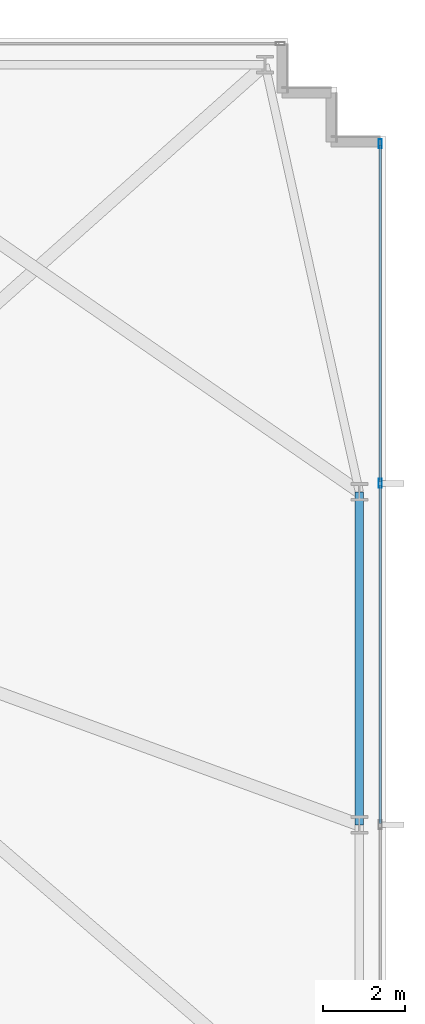
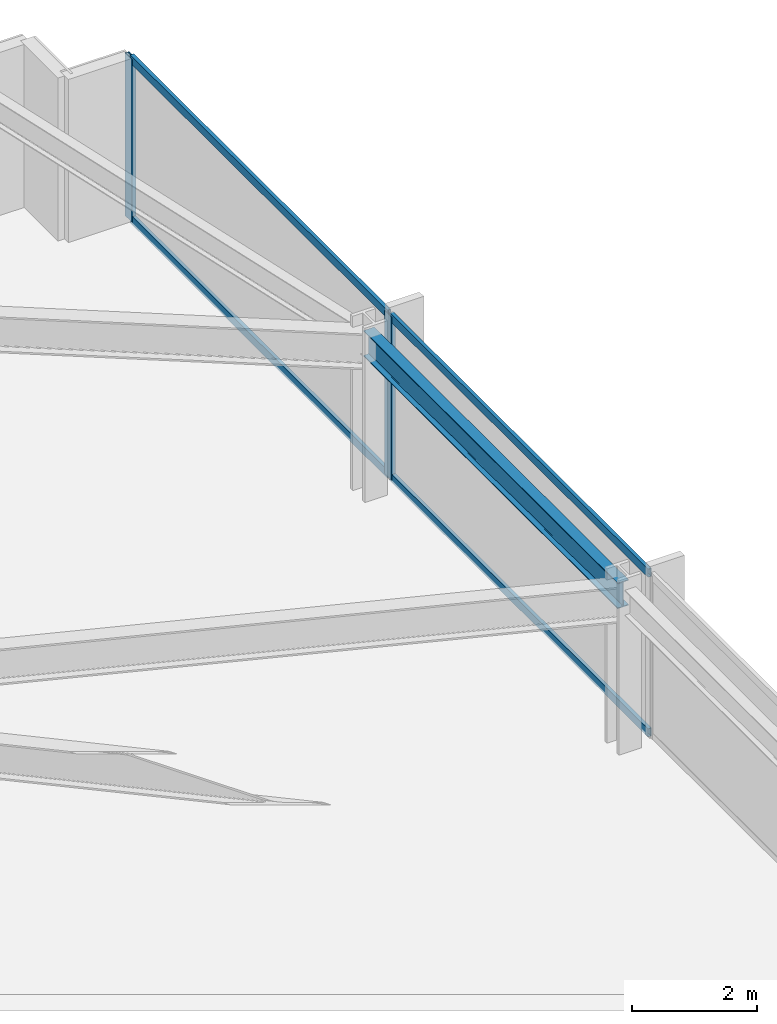
# One storey, part 23 of 33: 6 members, 1 beam, 1 element without a shape of its own.
"""IFC4 building model written with IfcOpenShell, lengths in metres."""

from ifc_helpers import new_model, si_unit, direction, frame, origin, origin_2d, place, context, subcontext, project, spatial, hollow_rectangle, i_section, extrude, material, material_profile, profile_set, type_object, element, aggregate, save


model = new_model("IFC4")

# Units and contexts
model_context = context("Model", 3, precision=1e-05, world=origin(), true_north=direction((0.0, 1.0)))
body_context = subcontext(model_context, "Body", "Model", "MODEL_VIEW")
ifc_project = project(units=[si_unit("LENGTHUNIT", "METRE"), si_unit("AREAUNIT", "SQUARE_METRE"), si_unit("VOLUMEUNIT", "CUBIC_METRE"), si_unit("PLANEANGLEUNIT", "RADIAN"), si_unit("MASSUNIT", "GRAM", prefix="KILO")], contexts=[model_context])

# Site, building, storey
site_placement = place(None, origin())
site = spatial("IfcSite", under=ifc_project, at=site_placement, CompositionType="ELEMENT")
building_placement = place(site_placement, origin())
building = spatial("IfcBuilding", under=site, at=building_placement, Name="Yelkora Congress Tower", CompositionType="ELEMENT")
storey_placement = place(building_placement, frame((0.0, 0.0, 71.199951171875)))
storey = spatial("IfcBuildingStorey", under=building, at=storey_placement, Name="L18", CompositionType="ELEMENT", Elevation=71.199951171875)

# Beam
ifc_material_1 = material(Name="Steel S355J2", Category="steel")
ifc_material_profile_1 = material_profile(ifc_material_1, i_section(OverallWidth=0.199951171875, OverallDepth=0.5, WebThickness=0.01025390625, FlangeThickness=0.01611328125, FilletRadius=0.02099609375, at=origin_2d()), Name="IPE 500")
ifc_profile_set_1 = profile_set([ifc_material_profile_1], Name="Steel S355J2")
beam_type = type_object("IfcBeamType", Name="BM-SPAN-IPE500", PredefinedType="SPANDREL", material=ifc_profile_set_1)
beam_placement = place(storey_placement, frame((70.14990234375, 29.39990234375, 2.929931640625), z_axis=(0.0, 1.0, 0.0), x_axis=(-1.0, 0.0, 0.0)))
element("IfcBeam", 1, at=beam_placement, inside=storey, type_object=beam_type, Name="L18 Perimeter Beam 12", PredefinedType="SPANDREL", context=body_context, shape_type="SweptSolid", body=[
    extrude(i_section(OverallWidth=0.199951171875, OverallDepth=0.5, WebThickness=0.01025390625, FlangeThickness=0.01611328125, FilletRadius=0.02099609375, at=origin_2d()), origin(), (0.0, 0.0, 1.0), 8.125),
])

# Curtain wall, members
ifc_material_2 = material(Name="Anodised aluminium and insulated glass", Category="aluminium")
curtain_wall_type = type_object("IfcCurtainWallType", Name="CW-SYS-B1", PredefinedType="NOTDEFINED", material=ifc_material_2)
curtain_wall_placement = place(storey_placement, origin())
curtain_wall = element("IfcCurtainWall", 2, at=curtain_wall_placement, inside=storey, type_object=curtain_wall_type, Name="L18 Unitised Curtain Wall 15", PredefinedType="NOTDEFINED")
ifc_material_3 = material(Name="Anodised aluminium 6063-T6", Category="aluminium")
ifc_material_profile_2 = material_profile(ifc_material_3, hollow_rectangle(XDim=0.074951171875, YDim=0.219970703125, WallThickness=0.0048828125, at=origin_2d()), Name="ALU 75x220x5")
ifc_profile_set_2 = profile_set([ifc_material_profile_2], Name="Anodised aluminium 6063-T6")
member_type_1 = type_object("IfcMemberType", Name="MEM-ML-B1", PredefinedType="MULLION", material=ifc_profile_set_2)
member_1_placement = place(storey_placement, frame((70.659912109375, 46.0224609375, 0.0), z_axis=(0.0, 0.0, 1.0), x_axis=(1.0, 0.0, 0.0)))
member_1 = element("IfcMember", 3, at=member_1_placement, type_object=member_type_1, Name="CW-B1 mullion 1", PredefinedType="MULLION", context=body_context, shape_type="SweptSolid", body=[
    extrude(hollow_rectangle(XDim=0.074951171875, YDim=0.219970703125, WallThickness=0.0048828125, at=origin_2d()), origin(), (0.0, 0.0, 1.0), 3.179931640625),
])
member_2_placement = place(storey_placement, frame((70.659912109375, 37.72998046875, 0.0), z_axis=(0.0, 0.0, 1.0), x_axis=(1.0, 0.0, 0.0)))
member_2 = element("IfcMember", 4, at=member_2_placement, type_object=member_type_1, Name="CW-B1 mullion 2", PredefinedType="MULLION", context=body_context, shape_type="SweptSolid", body=[
    extrude(hollow_rectangle(XDim=0.074951171875, YDim=0.219970703125, WallThickness=0.0048828125, at=origin_2d()), origin(), (0.0, 0.0, 1.0), 3.179931640625),
])
ifc_material_profile_3 = material_profile(ifc_material_3, hollow_rectangle(XDim=0.06494140625, YDim=0.159912109375, WallThickness=0.00390625, at=origin_2d()), Name="ALU 65x160x4")
ifc_profile_set_3 = profile_set([ifc_material_profile_3], Name="Anodised aluminium 6063-T6")
member_type_2 = type_object("IfcMemberType", Name="MEM-TR-B1", PredefinedType="USERDEFINED", material=ifc_profile_set_3)
member_3_placement = place(storey_placement, frame((70.659912109375, 45.985107421875, 0.032470703125), z_axis=(0.0, -1.0, 0.0), x_axis=(1.0, 0.0, 0.0)))
member_3 = element("IfcMember", 5, at=member_3_placement, type_object=member_type_2, Name="CW-B1 transom 1.1", ObjectType="TRANSOM", PredefinedType="USERDEFINED", context=body_context, shape_type="SweptSolid", body=[
    extrude(hollow_rectangle(XDim=0.06494140625, YDim=0.159912109375, WallThickness=0.00390625, at=origin_2d()), origin(), (0.0, 0.0, 1.0), 8.217529296875),
])
member_4_placement = place(storey_placement, frame((70.659912109375, 45.985107421875, 3.1474609375), z_axis=(0.0, -1.0, 0.0), x_axis=(1.0, 0.0, 0.0)))
member_4 = element("IfcMember", 6, at=member_4_placement, type_object=member_type_2, Name="CW-B1 transom 1.2", ObjectType="TRANSOM", PredefinedType="USERDEFINED", context=body_context, shape_type="SweptSolid", body=[
    extrude(hollow_rectangle(XDim=0.06494140625, YDim=0.159912109375, WallThickness=0.00390625, at=origin_2d()), origin(), (0.0, 0.0, 1.0), 8.217529296875),
])
member_5_placement = place(storey_placement, frame((70.659912109375, 37.6923828125, 0.032470703125), z_axis=(0.0, -1.0, 0.0), x_axis=(1.0, 0.0, 0.0)))
member_5 = element("IfcMember", 7, at=member_5_placement, type_object=member_type_2, Name="CW-B1 transom 2.1", ObjectType="TRANSOM", PredefinedType="USERDEFINED", context=body_context, shape_type="SweptSolid", body=[
    extrude(hollow_rectangle(XDim=0.06494140625, YDim=0.159912109375, WallThickness=0.00390625, at=origin_2d()), origin(), (0.0, 0.0, 1.0), 8.2548828125),
])
member_6_placement = place(storey_placement, frame((70.659912109375, 37.6923828125, 3.1474609375), z_axis=(0.0, -1.0, 0.0), x_axis=(1.0, 0.0, 0.0)))
member_6 = element("IfcMember", 8, at=member_6_placement, type_object=member_type_2, Name="CW-B1 transom 2.2", ObjectType="TRANSOM", PredefinedType="USERDEFINED", context=body_context, shape_type="SweptSolid", body=[
    extrude(hollow_rectangle(XDim=0.06494140625, YDim=0.159912109375, WallThickness=0.00390625, at=origin_2d()), origin(), (0.0, 0.0, 1.0), 8.2548828125),
])
aggregate(curtain_wall, [member_1, member_2, member_3, member_4, member_5, member_6])

save(model, "model.ifc")
